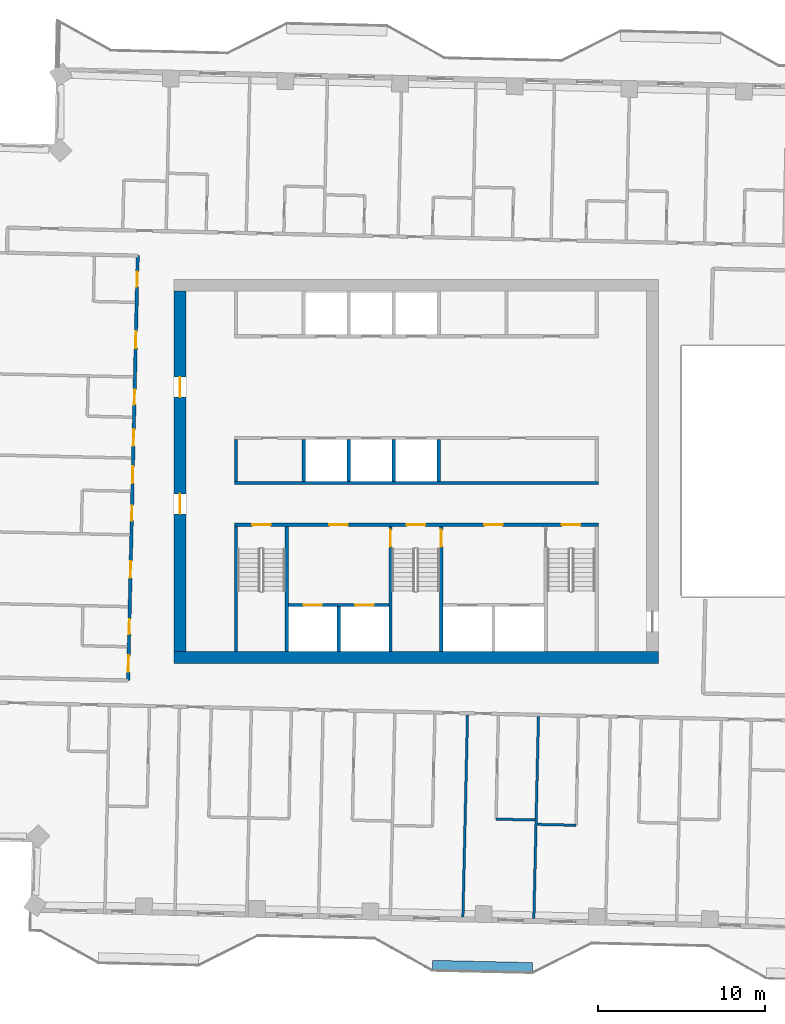
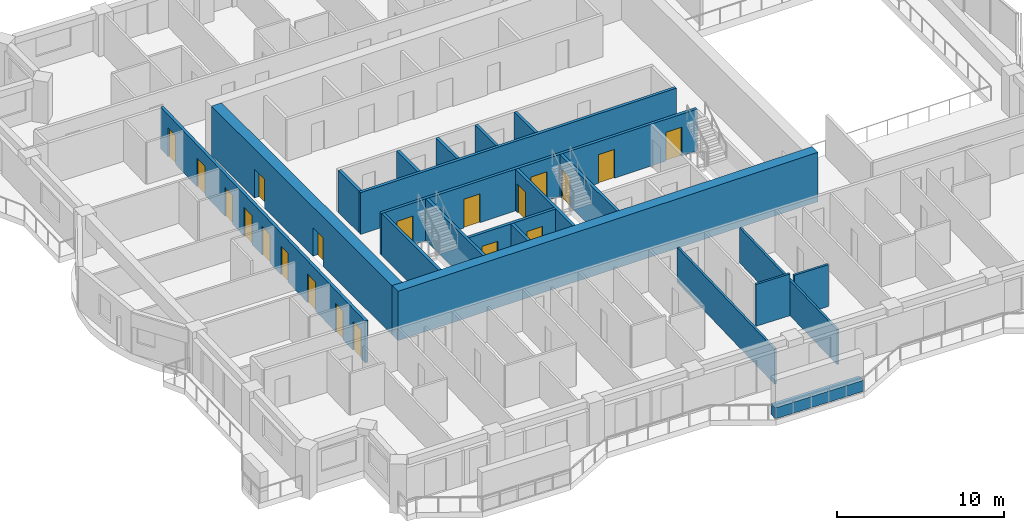
# One storey, part 8 of 17: 21 walls, 20 doors, 20 openings.
"""IFC4 building model written with IfcOpenShell, lengths in metres."""

from ifc_helpers import new_model, si_unit, direction, frame, frame_2d, origin, place, context, subcontext, project, spatial, rectangle, extrude, material, layer, layer_set, type_object, element, fill, save


model = new_model("IFC4")

# Units and contexts
model_context = context("Model", 3, precision=1e-05, world=origin(), true_north=direction((0.0, 1.0)))
body_context = subcontext(model_context, "Body", "Model", "MODEL_VIEW")
ifc_project = project(units=[si_unit("LENGTHUNIT", "METRE"), si_unit("AREAUNIT", "SQUARE_METRE"), si_unit("VOLUMEUNIT", "CUBIC_METRE"), si_unit("PLANEANGLEUNIT", "RADIAN"), si_unit("MASSUNIT", "GRAM", prefix="KILO")], contexts=[model_context])

# Site, building, storey
site_placement = place(None, origin())
site = spatial("IfcSite", under=ifc_project, at=site_placement, CompositionType="ELEMENT")
building_placement = place(site_placement, origin())
building = spatial("IfcBuilding", under=site, at=building_placement, Name="Mangrove Gate Tower", CompositionType="ELEMENT")
storey_placement = place(building_placement, frame((0.0, 0.0, 257.300048828125)))
storey = spatial("IfcBuildingStorey", under=building, at=storey_placement, Name="L65", CompositionType="ELEMENT", Elevation=257.300048828125)

# Walls
ifc_material_1 = material(Name="Concrete C32/40", Category="concrete")
ifc_layer_1 = layer(ifc_material_1, 0.199951171875)
ifc_layer_set_1 = layer_set([ifc_layer_1], Name="Core room wall 200 C32/40")
wall_type_1 = type_object("IfcWallType", Name="Core room wall 200 C32/40", PredefinedType="STANDARD", material=ifc_layer_set_1)
wall_1_placement = place(storey_placement, frame((-10.800048828125, -0.60009765625, 0.0), z_axis=(0.0, 0.0, 1.0), x_axis=(0.0, 1.0, 0.0)))
element("IfcWall", 1, at=wall_1_placement, inside=storey, type_object=wall_type_1, Name="WALL-L65-CORE-19", PredefinedType="STANDARD", context=body_context, shape_type="SweptSolid", body=[
    extrude(rectangle(XDim=2.5, YDim=0.199951171875, at=frame_2d((1.25, 0.0))), origin(), (0.0, 0.0, 1.0), 3.050048828125),
])
ifc_material_2 = material(Name="Concrete C60/75", Category="concrete")
ifc_layer_2 = layer(ifc_material_2, 0.199951171875)
ifc_layer_set_2 = layer_set([ifc_layer_2], Name="Core shaft wall 200 C60/75")
wall_type_2 = type_object("IfcWallType", Name="Core shaft wall 200 C60/75", PredefinedType="SHEAR", material=ifc_layer_set_2)
wall_2_placement = place(storey_placement, frame((-10.89990234375, -0.699951171875, 0.0), z_axis=(0.0, 0.0, 1.0), x_axis=(1.0, 0.0, 0.0)))
element("IfcWall", 2, at=wall_2_placement, inside=storey, type_object=wall_type_2, Name="WALL-L65-CORE-6", PredefinedType="SHEAR", context=body_context, shape_type="SweptSolid", body=[
    extrude(rectangle(XDim=21.7998046875, YDim=0.199951171875, at=frame_2d((10.89990234375, 0.0))), origin(), (0.0, 0.0, 1.0), 3.050048828125),
])

# Wall, openings, doors
wall_3_placement = place(storey_placement, frame((-7.64990234375, -8.0, 0.0), z_axis=(0.0, 0.0, 1.0), x_axis=(1.0, 0.0, 0.0)))
wall_3 = element("IfcWall", 3, at=wall_3_placement, inside=storey, type_object=wall_type_2, Name="WALL-L65-CORE-15", PredefinedType="SHEAR", context=body_context, shape_type="SweptSolid", body=[
    extrude(rectangle(XDim=6.0, YDim=0.199951171875, at=frame_2d((3.0, 0.0))), origin(), (0.0, 0.0, 1.0), 3.050048828125),
])
opening_1_placement = place(wall_3_placement, frame((0.89990234375, 0.0, 0.0)))
opening_1 = element("IfcOpeningElement", 4, at=opening_1_placement, cuts=wall_3, Name="Opening LD", PredefinedType="OPENING", context=body_context, shape_type="SweptSolid", body=[
    extrude(rectangle(XDim=1.10009765625, YDim=2.10009765625, at=frame_2d((0.550048828125, 1.050048828125))), frame((0.0, 0.10986328125, 0.0), z_axis=(0.0, -1.0, 0.0), x_axis=(1.0, 0.0, 0.0)), (0.0, 0.0, 1.0), 0.219970703125),
])
opening_2_placement = place(wall_3_placement, frame((4.0, 0.0, 0.0)))
opening_2 = element("IfcOpeningElement", 5, at=opening_2_placement, cuts=wall_3, Name="Opening LD", PredefinedType="OPENING", context=body_context, shape_type="SweptSolid", body=[
    extrude(rectangle(XDim=1.10009765625, YDim=2.10009765625, at=frame_2d((0.550048828125, 1.050048828125))), frame((0.0, 0.10986328125, 0.0), z_axis=(0.0, -1.0, 0.0), x_axis=(1.0, 0.0, 0.0)), (0.0, 0.0, 1.0), 0.219970703125),
])
ifc_material_3 = material(Name="Stainless steel 316", Category="steel")
door_type_1 = type_object("IfcDoorType", Name="Lift landing door 1100x2100", OperationType="SLIDING_TO_LEFT", PredefinedType="DOOR", material=ifc_material_3)
door_1_placement = place(opening_1_placement, origin())
door_1 = element("IfcDoor", 6, at=door_1_placement, inside=storey, type_object=door_type_1, Name="Landing door LD SVL1", OperationType="SLIDING_TO_LEFT", OverallHeight=2.10009765625, OverallWidth=1.10009765625, PredefinedType="DOOR", context=body_context, shape_type="SweptSolid", body=[
    extrude(rectangle(XDim=1.10009765625, YDim=2.10009765625, at=frame_2d((0.550048828125, 1.050048828125))), frame((0.0, 0.02490234375, 0.0), z_axis=(0.0, -1.0, 0.0), x_axis=(1.0, 0.0, 0.0)), (0.0, 0.0, 1.0), 0.050048828125),
])
fill(opening_1, door_1)
door_2_placement = place(opening_2_placement, origin())
door_2 = element("IfcDoor", 7, at=door_2_placement, inside=storey, type_object=door_type_1, Name="Landing door LD SVL2", OperationType="SLIDING_TO_LEFT", OverallHeight=2.10009765625, OverallWidth=1.10009765625, PredefinedType="DOOR", context=body_context, shape_type="SweptSolid", body=[
    extrude(rectangle(XDim=1.10009765625, YDim=2.10009765625, at=frame_2d((0.550048828125, 1.050048828125))), frame((0.0, 0.02490234375, 0.0), z_axis=(0.0, -1.0, 0.0), x_axis=(1.0, 0.0, 0.0)), (0.0, 0.0, 1.0), 0.050048828125),
])
fill(opening_2, door_2)

# Walls
wall_4_placement = place(storey_placement, frame((-4.64990234375, -10.800048828125, 0.0), z_axis=(0.0, 0.0, 1.0), x_axis=(0.0, 1.0, 0.0)))
element("IfcWall", 8, at=wall_4_placement, inside=storey, type_object=wall_type_2, Name="WALL-L65-CORE-16", PredefinedType="SHEAR", context=body_context, shape_type="SweptSolid", body=[
    extrude(rectangle(XDim=2.699951171875, YDim=0.199951171875, at=frame_2d((1.35009765625, 0.0))), origin(), (0.0, 0.0, 1.0), 3.050048828125),
])
for number, where, z_axis, x_axis, name in (
    (9, (-6.75, -0.60009765625, 0.0), (0.0, 0.0, 1.0), (0.0, 1.0, 0.0), "WALL-L65-CORE-20"),
    (10, (-4.050048828125, -0.60009765625, 0.0), (0.0, 0.0, 1.0), (0.0, 1.0, 0.0), "WALL-L65-CORE-21"),
    (11, (-1.35009765625, -0.60009765625, 0.0), (0.0, 0.0, 1.0), (0.0, 1.0, 0.0), "WALL-L65-CORE-22"),
    (12, (1.35009765625, -0.60009765625, 0.0), (0.0, 0.0, 1.0), (0.0, 1.0, 0.0), "WALL-L65-CORE-23"),
):
    element("IfcWall", number, at=place(storey_placement, frame(where, z_axis=z_axis, x_axis=x_axis)), inside=storey, type_object=wall_type_2, Name=name, PredefinedType="SHEAR", context=body_context, shape_type="SweptSolid", body=[
        extrude(rectangle(XDim=2.5, YDim=0.199951171875, at=frame_2d((1.25, 0.0))), origin(), (0.0, 0.0, 1.0), 3.050048828125),
    ])

# Wall, openings, doors
ifc_material_4 = material(Name="Concrete C60/75", Category="concrete")
ifc_layer_3 = layer(ifc_material_4, 0.199951171875)
ifc_layer_set_3 = layer_set([ifc_layer_3], Name="Core stair wall 200 C60/75")
wall_type_3 = type_object("IfcWallType", Name="Core stair wall 200 C60/75", PredefinedType="SHEAR", material=ifc_layer_set_3)
wall_5_placement = place(storey_placement, frame((-10.89990234375, -3.199951171875, 0.0), z_axis=(0.0, 0.0, 1.0), x_axis=(1.0, 0.0, 0.0)))
wall_5 = element("IfcWall", 13, at=wall_5_placement, inside=storey, type_object=wall_type_3, Name="WALL-L65-CORE-5", PredefinedType="SHEAR", context=body_context, shape_type="SweptSolid", body=[
    extrude(rectangle(XDim=21.7998046875, YDim=0.199951171875, at=frame_2d((10.89990234375, 0.0))), origin(), (0.0, 0.0, 1.0), 3.050048828125),
])
opening_3_placement = place(wall_5_placement, frame((1.074951171875, 0.0, 0.0)))
opening_3 = element("IfcOpeningElement", 14, at=opening_3_placement, cuts=wall_5, Name="Opening STD11", PredefinedType="OPENING", context=body_context, shape_type="SweptSolid", body=[
    extrude(rectangle(XDim=1.10009765625, YDim=2.10009765625, at=frame_2d((0.550048828125, 1.050048828125))), frame((0.0, 0.10986328125, 0.0), z_axis=(0.0, -1.0, 0.0), x_axis=(1.0, 0.0, 0.0)), (0.0, 0.0, 1.0), 0.219970703125),
])
opening_4_placement = place(wall_5_placement, frame((10.324951171875, 0.0, 0.0)))
opening_4 = element("IfcOpeningElement", 15, at=opening_4_placement, cuts=wall_5, Name="Opening STD11", PredefinedType="OPENING", context=body_context, shape_type="SweptSolid", body=[
    extrude(rectangle(XDim=1.10009765625, YDim=2.10009765625, at=frame_2d((0.550048828125, 1.050048828125))), frame((0.0, 0.10986328125, 0.0), z_axis=(0.0, -1.0, 0.0), x_axis=(1.0, 0.0, 0.0)), (0.0, 0.0, 1.0), 0.219970703125),
])
opening_5_placement = place(wall_5_placement, frame((19.625, 0.0, 0.0)))
opening_5 = element("IfcOpeningElement", 16, at=opening_5_placement, cuts=wall_5, Name="Opening STD11", PredefinedType="OPENING", context=body_context, shape_type="SweptSolid", body=[
    extrude(rectangle(XDim=1.10009765625, YDim=2.10009765625, at=frame_2d((0.550048828125, 1.050048828125))), frame((0.0, 0.10986328125, 0.0), z_axis=(0.0, -1.0, 0.0), x_axis=(1.0, 0.0, 0.0)), (0.0, 0.0, 1.0), 0.219970703125),
])
opening_6_placement = place(wall_5_placement, frame((5.699951171875, 0.0, 0.0)))
opening_6 = element("IfcOpeningElement", 17, at=opening_6_placement, cuts=wall_5, Name="Opening FL", PredefinedType="OPENING", context=body_context, shape_type="SweptSolid", body=[
    extrude(rectangle(XDim=1.10009765625, YDim=2.10009765625, at=frame_2d((0.550048828125, 1.050048828125))), frame((0.0, 0.10986328125, 0.0), z_axis=(0.0, -1.0, 0.0), x_axis=(1.0, 0.0, 0.0)), (0.0, 0.0, 1.0), 0.219970703125),
])
opening_7_placement = place(wall_5_placement, frame((14.97509765625, 0.0, 0.0)))
opening_7 = element("IfcOpeningElement", 18, at=opening_7_placement, cuts=wall_5, Name="Opening FL", PredefinedType="OPENING", context=body_context, shape_type="SweptSolid", body=[
    extrude(rectangle(XDim=1.10009765625, YDim=2.10009765625, at=frame_2d((0.550048828125, 1.050048828125))), frame((0.0, 0.10986328125, 0.0), z_axis=(0.0, -1.0, 0.0), x_axis=(1.0, 0.0, 0.0)), (0.0, 0.0, 1.0), 0.219970703125),
])
ifc_material_5 = material(Name="Fire-rated steel door set", Category="steel")
door_type_2 = type_object("IfcDoorType", Name="Lobby door FD60 1100x2100", OperationType="SINGLE_SWING_LEFT", PredefinedType="DOOR", material=ifc_material_5)
door_3_placement = place(opening_6_placement, origin())
door_3 = element("IfcDoor", 19, at=door_3_placement, inside=storey, type_object=door_type_2, Name="Lobby door service lobby", OperationType="SINGLE_SWING_LEFT", OverallHeight=2.10009765625, OverallWidth=1.10009765625, PredefinedType="DOOR", context=body_context, shape_type="SweptSolid", body=[
    extrude(rectangle(XDim=1.10009765625, YDim=2.10009765625, at=frame_2d((0.550048828125, 1.050048828125))), frame((0.0, 0.02490234375, 0.0), z_axis=(0.0, -1.0, 0.0), x_axis=(1.0, 0.0, 0.0)), (0.0, 0.0, 1.0), 0.050048828125),
])
fill(opening_6, door_3)
door_4_placement = place(opening_7_placement, origin())
door_4 = element("IfcDoor", 20, at=door_4_placement, inside=storey, type_object=door_type_2, Name="Lobby door fire-fighting lobby", OperationType="SINGLE_SWING_LEFT", OverallHeight=2.10009765625, OverallWidth=1.10009765625, PredefinedType="DOOR", context=body_context, shape_type="SweptSolid", body=[
    extrude(rectangle(XDim=1.10009765625, YDim=2.10009765625, at=frame_2d((0.550048828125, 1.050048828125))), frame((0.0, 0.02490234375, 0.0), z_axis=(0.0, -1.0, 0.0), x_axis=(1.0, 0.0, 0.0)), (0.0, 0.0, 1.0), 0.050048828125),
])
fill(opening_7, door_4)
ifc_material_6 = material(Name="Fire-rated steel door set", Category="steel")
door_type_3 = type_object("IfcDoorType", Name="Stair door FD60 1100x2100", OperationType="SINGLE_SWING_RIGHT", PredefinedType="DOOR", material=ifc_material_6)
door_5_placement = place(opening_3_placement, origin())
door_5 = element("IfcDoor", 21, at=door_5_placement, inside=storey, type_object=door_type_3, Name="Stair door Stair 1", OperationType="SINGLE_SWING_RIGHT", OverallHeight=2.10009765625, OverallWidth=1.10009765625, PredefinedType="DOOR", context=body_context, shape_type="SweptSolid", body=[
    extrude(rectangle(XDim=1.10009765625, YDim=2.10009765625, at=frame_2d((0.550048828125, 1.050048828125))), frame((0.0, 0.02490234375, 0.0), z_axis=(0.0, -1.0, 0.0), x_axis=(1.0, 0.0, 0.0)), (0.0, 0.0, 1.0), 0.050048828125),
])
fill(opening_3, door_5)
door_6_placement = place(opening_4_placement, origin())
door_6 = element("IfcDoor", 22, at=door_6_placement, inside=storey, type_object=door_type_3, Name="Stair door Stair 2", OperationType="SINGLE_SWING_RIGHT", OverallHeight=2.10009765625, OverallWidth=1.10009765625, PredefinedType="DOOR", context=body_context, shape_type="SweptSolid", body=[
    extrude(rectangle(XDim=1.10009765625, YDim=2.10009765625, at=frame_2d((0.550048828125, 1.050048828125))), frame((0.0, 0.02490234375, 0.0), z_axis=(0.0, -1.0, 0.0), x_axis=(1.0, 0.0, 0.0)), (0.0, 0.0, 1.0), 0.050048828125),
])
fill(opening_4, door_6)
door_7_placement = place(opening_5_placement, origin())
door_7 = element("IfcDoor", 23, at=door_7_placement, inside=storey, type_object=door_type_3, Name="Stair door Stair 3", OperationType="SINGLE_SWING_RIGHT", OverallHeight=2.10009765625, OverallWidth=1.10009765625, PredefinedType="DOOR", context=body_context, shape_type="SweptSolid", body=[
    extrude(rectangle(XDim=1.10009765625, YDim=2.10009765625, at=frame_2d((0.550048828125, 1.050048828125))), frame((0.0, 0.02490234375, 0.0), z_axis=(0.0, -1.0, 0.0), x_axis=(1.0, 0.0, 0.0)), (0.0, 0.0, 1.0), 0.050048828125),
])
fill(opening_5, door_7)

# Walls
for number, where, z_axis, x_axis, name in (
    (24, (-10.800048828125, -10.800048828125, 0.0), (0.0, 0.0, 1.0), (0.0, 1.0, 0.0), "WALL-L65-CORE-9"),
    (25, (-7.75, -10.800048828125, 0.0), (0.0, 0.0, 1.0), (0.0, 1.0, 0.0), "WALL-L65-CORE-10"),
):
    element("IfcWall", number, at=place(storey_placement, frame(where, z_axis=z_axis, x_axis=x_axis)), inside=storey, type_object=wall_type_3, Name=name, PredefinedType="SHEAR", context=body_context, shape_type="SweptSolid", body=[
        extrude(rectangle(XDim=7.5, YDim=0.199951171875, at=frame_2d((3.75, 0.0))), origin(), (0.0, 0.0, 1.0), 3.050048828125),
    ])

# Wall, opening, door
wall_6_placement = place(storey_placement, frame((-1.550048828125, -10.800048828125, 0.0), z_axis=(0.0, 0.0, 1.0), x_axis=(0.0, 1.0, 0.0)))
wall_6 = element("IfcWall", 26, at=wall_6_placement, inside=storey, type_object=wall_type_3, Name="WALL-L65-CORE-11", PredefinedType="SHEAR", context=body_context, shape_type="SweptSolid", body=[
    extrude(rectangle(XDim=7.5, YDim=0.199951171875, at=frame_2d((3.75, 0.0))), origin(), (0.0, 0.0, 1.0), 3.050048828125),
])
opening_8_placement = place(wall_6_placement, frame((6.300048828125, 0.0, 0.0)))
opening_8 = element("IfcOpeningElement", 27, at=opening_8_placement, cuts=wall_6, Name="Opening STD10", PredefinedType="OPENING", context=body_context, shape_type="SweptSolid", body=[
    extrude(rectangle(XDim=1.0, YDim=2.10009765625, at=frame_2d((0.5, 1.050048828125))), frame((0.0, 0.10986328125, 0.0), z_axis=(0.0, -1.0, 0.0), x_axis=(1.0, 0.0, 0.0)), (0.0, 0.0, 1.0), 0.219970703125),
])
ifc_material_7 = material(Name="Fire-rated steel door set", Category="steel")
door_type_4 = type_object("IfcDoorType", Name="Stair door FD60 1000x2100", OperationType="SINGLE_SWING_RIGHT", PredefinedType="DOOR", material=ifc_material_7)
door_8_placement = place(opening_8_placement, origin())
door_8 = element("IfcDoor", 28, at=door_8_placement, inside=storey, type_object=door_type_4, Name="Stair door Stair 2 from service lobby", OperationType="SINGLE_SWING_RIGHT", OverallHeight=2.10009765625, OverallWidth=1.0, PredefinedType="DOOR", context=body_context, shape_type="SweptSolid", body=[
    extrude(rectangle(XDim=1.0, YDim=2.10009765625, at=frame_2d((0.5, 1.050048828125))), frame((0.0, 0.02490234375, 0.0), z_axis=(0.0, -1.0, 0.0), x_axis=(1.0, 0.0, 0.0)), (0.0, 0.0, 1.0), 0.050048828125),
])
fill(opening_8, door_8)

wall_7_placement = place(storey_placement, frame((1.5, -10.800048828125, 0.0), z_axis=(0.0, 0.0, 1.0), x_axis=(0.0, 1.0, 0.0)))
wall_7 = element("IfcWall", 29, at=wall_7_placement, inside=storey, type_object=wall_type_3, Name="WALL-L65-CORE-12", PredefinedType="SHEAR", context=body_context, shape_type="SweptSolid", body=[
    extrude(rectangle(XDim=7.5, YDim=0.199951171875, at=frame_2d((3.75, 0.0))), origin(), (0.0, 0.0, 1.0), 3.050048828125),
])
opening_9_placement = place(wall_7_placement, frame((6.300048828125, 0.0, 0.0)))
opening_9 = element("IfcOpeningElement", 30, at=opening_9_placement, cuts=wall_7, Name="Opening STD10", PredefinedType="OPENING", context=body_context, shape_type="SweptSolid", body=[
    extrude(rectangle(XDim=1.0, YDim=2.10009765625, at=frame_2d((0.5, 1.050048828125))), frame((0.0, 0.10986328125, 0.0), z_axis=(0.0, -1.0, 0.0), x_axis=(1.0, 0.0, 0.0)), (0.0, 0.0, 1.0), 0.219970703125),
])
door_9_placement = place(opening_9_placement, origin())
door_9 = element("IfcDoor", 31, at=door_9_placement, inside=storey, type_object=door_type_4, Name="Stair door Stair 2 from fire-fighting lobby", OperationType="SINGLE_SWING_RIGHT", OverallHeight=2.10009765625, OverallWidth=1.0, PredefinedType="DOOR", context=body_context, shape_type="SweptSolid", body=[
    extrude(rectangle(XDim=1.0, YDim=2.10009765625, at=frame_2d((0.5, 1.050048828125))), frame((0.0, 0.02490234375, 0.0), z_axis=(0.0, -1.0, 0.0), x_axis=(1.0, 0.0, 0.0)), (0.0, 0.0, 1.0), 0.050048828125),
])
fill(opening_9, door_9)

# Wall
ifc_material_8 = material(Name="Concrete C60/75", Category="concrete")
ifc_layer_4 = layer(ifc_material_8, 0.699951171875)
ifc_layer_set_4 = layer_set([ifc_layer_4], Name="Core wall 700 C60/75")
wall_type_4 = type_object("IfcWallType", Name="Core wall 700 C60/75", PredefinedType="SHEAR", material=ifc_layer_set_4)
wall_8_placement = place(storey_placement, frame((-14.5, -11.14990234375, 0.0), z_axis=(0.0, 0.0, 1.0), x_axis=(1.0, 0.0, 0.0)))
element("IfcWall", 32, at=wall_8_placement, inside=storey, type_object=wall_type_4, Name="WALL-L65-CORE-1", PredefinedType="SHEAR", context=body_context, shape_type="SweptSolid", body=[
    extrude(rectangle(XDim=29.0, YDim=0.699951171875, at=frame_2d((14.5, 0.0))), origin(), (0.0, 0.0, 1.0), 3.599853515625),
])

# Wall, openings, doors
wall_9_placement = place(storey_placement, frame((-14.14990234375, -10.800048828125, 0.0), z_axis=(0.0, 0.0, 1.0), x_axis=(0.0, 1.0, 0.0)))
wall_9 = element("IfcWall", 33, at=wall_9_placement, inside=storey, type_object=wall_type_4, Name="WALL-L65-CORE-3", PredefinedType="SHEAR", context=body_context, shape_type="SweptSolid", body=[
    extrude(rectangle(XDim=21.60009765625, YDim=0.699951171875, at=frame_2d((10.800048828125, 0.0))), origin(), (0.0, 0.0, 1.0), 3.599853515625),
])
opening_10_placement = place(wall_9_placement, frame((8.25, 0.0, 0.0)))
opening_10 = element("IfcOpeningElement", 34, at=opening_10_placement, cuts=wall_9, Name="Opening CD", PredefinedType="OPENING", context=body_context, shape_type="SweptSolid", body=[
    extrude(rectangle(XDim=1.199951171875, YDim=2.10009765625, at=frame_2d((0.60009765625, 1.050048828125))), frame((0.0, 0.35986328125, 0.0), z_axis=(0.0, -1.0, 0.0), x_axis=(1.0, 0.0, 0.0)), (0.0, 0.0, 1.0), 0.719970703125),
])
opening_11_placement = place(wall_9_placement, frame((15.25, 0.0, 0.0)))
opening_11 = element("IfcOpeningElement", 35, at=opening_11_placement, cuts=wall_9, Name="Opening CD", PredefinedType="OPENING", context=body_context, shape_type="SweptSolid", body=[
    extrude(rectangle(XDim=1.199951171875, YDim=2.10009765625, at=frame_2d((0.60009765625, 1.050048828125))), frame((0.0, 0.35986328125, 0.0), z_axis=(0.0, -1.0, 0.0), x_axis=(1.0, 0.0, 0.0)), (0.0, 0.0, 1.0), 0.719970703125),
])
ifc_material_9 = material(Name="Fire-rated steel door set", Category="steel")
door_type_5 = type_object("IfcDoorType", Name="Core ring door FD60 1200x2100", OperationType="DOUBLE_DOOR_SINGLE_SWING", PredefinedType="DOOR", material=ifc_material_9)
door_10_placement = place(opening_10_placement, origin())
door_10 = element("IfcDoor", 36, at=door_10_placement, inside=storey, type_object=door_type_5, Name="Core ring door W1", OperationType="DOUBLE_DOOR_SINGLE_SWING", OverallHeight=2.10009765625, OverallWidth=1.199951171875, PredefinedType="DOOR", context=body_context, shape_type="SweptSolid", body=[
    extrude(rectangle(XDim=1.199951171875, YDim=2.10009765625, at=frame_2d((0.60009765625, 1.050048828125))), frame((0.0, 0.02490234375, 0.0), z_axis=(0.0, -1.0, 0.0), x_axis=(1.0, 0.0, 0.0)), (0.0, 0.0, 1.0), 0.050048828125),
])
fill(opening_10, door_10)
door_11_placement = place(opening_11_placement, origin())
door_11 = element("IfcDoor", 37, at=door_11_placement, inside=storey, type_object=door_type_5, Name="Core ring door W2", OperationType="DOUBLE_DOOR_SINGLE_SWING", OverallHeight=2.10009765625, OverallWidth=1.199951171875, PredefinedType="DOOR", context=body_context, shape_type="SweptSolid", body=[
    extrude(rectangle(XDim=1.199951171875, YDim=2.10009765625, at=frame_2d((0.60009765625, 1.050048828125))), frame((0.0, 0.02490234375, 0.0), z_axis=(0.0, -1.0, 0.0), x_axis=(1.0, 0.0, 0.0)), (0.0, 0.0, 1.0), 0.050048828125),
])
fill(opening_11, door_11)

ifc_material_10 = material(Name="Gypsum board on steel stud, EI 60", Category="steel")
ifc_layer_5 = layer(ifc_material_10, 0.199951171875)
ifc_layer_set_5 = layer_set([ifc_layer_5], Name="Corridor wall EI 60")
wall_type_5 = type_object("IfcWallType", Name="Corridor wall EI 60", PredefinedType="PARTITIONING", material=ifc_layer_set_5)
wall_10_placement = place(storey_placement, frame((-17.261962890625, -12.52490234375, 0.0), z_axis=(0.0, 0.0, 1.0), x_axis=(0.022706151961, 0.999742182097, 0.0)))
wall_10 = element("IfcWall", 38, at=wall_10_placement, inside=storey, type_object=wall_type_5, Name="WALL-L65-037", PredefinedType="PARTITIONING", context=body_context, shape_type="SweptSolid", body=[
    extrude(rectangle(XDim=25.450439453125, YDim=0.199951171875, at=frame_2d((12.72509765625, 0.0))), origin(), (0.0, 0.0, 1.0), 3.050048828125),
])
opening_12_placement = place(wall_10_placement, frame((19.9130859375, 0.0, 0.0)))
opening_12 = element("IfcOpeningElement", 39, at=opening_12_placement, cuts=wall_10, Name="Opening AD", PredefinedType="OPENING", context=body_context, shape_type="SweptSolid", body=[
    extrude(rectangle(XDim=1.0, YDim=2.10009765625, at=frame_2d((0.5, 1.050048828125))), frame((0.0, 0.10986328125, 0.0), z_axis=(0.0, -1.0, 0.0), x_axis=(1.0, 0.0, 0.0)), (0.0, 0.0, 1.0), 0.219970703125),
])
opening_13_placement = place(wall_10_placement, frame((23.60009765625, 0.0, 0.0)))
opening_13 = element("IfcOpeningElement", 40, at=opening_13_placement, cuts=wall_10, Name="Opening SD", PredefinedType="OPENING", context=body_context, shape_type="SweptSolid", body=[
    extrude(rectangle(XDim=0.89990234375, YDim=2.10009765625, at=frame_2d((0.449951171875, 1.050048828125))), frame((0.0, 0.10986328125, 0.0), z_axis=(0.0, -1.0, 0.0), x_axis=(1.0, 0.0, 0.0)), (0.0, 0.0, 1.0), 0.219970703125),
])
opening_14_placement = place(wall_10_placement, frame((14.050048828125, 0.0, 0.0)))
opening_14 = element("IfcOpeningElement", 41, at=opening_14_placement, cuts=wall_10, Name="Opening AD", PredefinedType="OPENING", context=body_context, shape_type="SweptSolid", body=[
    extrude(rectangle(XDim=1.0, YDim=2.10009765625, at=frame_2d((0.5, 1.050048828125))), frame((0.0, 0.10986328125, 0.0), z_axis=(0.0, -1.0, 0.0), x_axis=(1.0, 0.0, 0.0)), (0.0, 0.0, 1.0), 0.219970703125),
])
opening_15_placement = place(wall_10_placement, frame((16.52490234375, 0.0, 0.0)))
opening_15 = element("IfcOpeningElement", 42, at=opening_15_placement, cuts=wall_10, Name="Opening SD", PredefinedType="OPENING", context=body_context, shape_type="SweptSolid", body=[
    extrude(rectangle(XDim=0.89990234375, YDim=2.10009765625, at=frame_2d((0.449951171875, 1.050048828125))), frame((0.0, 0.10986328125, 0.0), z_axis=(0.0, -1.0, 0.0), x_axis=(1.0, 0.0, 0.0)), (0.0, 0.0, 1.0), 0.219970703125),
])
opening_16_placement = place(wall_10_placement, frame((11.824951171875, 0.0, 0.0)))
opening_16 = element("IfcOpeningElement", 43, at=opening_16_placement, cuts=wall_10, Name="Opening AD", PredefinedType="OPENING", context=body_context, shape_type="SweptSolid", body=[
    extrude(rectangle(XDim=1.0, YDim=2.10009765625, at=frame_2d((0.5, 1.050048828125))), frame((0.0, 0.10986328125, 0.0), z_axis=(0.0, -1.0, 0.0), x_axis=(1.0, 0.0, 0.0)), (0.0, 0.0, 1.0), 0.219970703125),
])
opening_17_placement = place(wall_10_placement, frame((9.574951171875, 0.0, 0.0)))
opening_17 = element("IfcOpeningElement", 44, at=opening_17_placement, cuts=wall_10, Name="Opening SD", PredefinedType="OPENING", context=body_context, shape_type="SweptSolid", body=[
    extrude(rectangle(XDim=0.89990234375, YDim=2.10009765625, at=frame_2d((0.449951171875, 1.050048828125))), frame((0.0, 0.10986328125, 0.0), z_axis=(0.0, -1.0, 0.0), x_axis=(1.0, 0.0, 0.0)), (0.0, 0.0, 1.0), 0.219970703125),
])
opening_18_placement = place(wall_10_placement, frame((6.155029296875, 0.0, 0.0)))
opening_18 = element("IfcOpeningElement", 45, at=opening_18_placement, cuts=wall_10, Name="Opening AD", PredefinedType="OPENING", context=body_context, shape_type="SweptSolid", body=[
    extrude(rectangle(XDim=1.0, YDim=2.10009765625, at=frame_2d((0.5, 1.050048828125))), frame((0.0, 0.10986328125, 0.0), z_axis=(0.0, -1.0, 0.0), x_axis=(1.0, 0.0, 0.0)), (0.0, 0.0, 1.0), 0.219970703125),
])
opening_19_placement = place(wall_10_placement, frame((0.511962890625, 0.0, 0.0)))
opening_19 = element("IfcOpeningElement", 46, at=opening_19_placement, cuts=wall_10, Name="Opening AD", PredefinedType="OPENING", context=body_context, shape_type="SweptSolid", body=[
    extrude(rectangle(XDim=1.0, YDim=2.10009765625, at=frame_2d((0.5, 1.050048828125))), frame((0.0, 0.10986328125, 0.0), z_axis=(0.0, -1.0, 0.0), x_axis=(1.0, 0.0, 0.0)), (0.0, 0.0, 1.0), 0.219970703125),
])
opening_20_placement = place(wall_10_placement, frame((2.77490234375, 0.0, 0.0)))
opening_20 = element("IfcOpeningElement", 47, at=opening_20_placement, cuts=wall_10, Name="Opening SD", PredefinedType="OPENING", context=body_context, shape_type="SweptSolid", body=[
    extrude(rectangle(XDim=0.89990234375, YDim=2.10009765625, at=frame_2d((0.449951171875, 1.050048828125))), frame((0.0, 0.10986328125, 0.0), z_axis=(0.0, -1.0, 0.0), x_axis=(1.0, 0.0, 0.0)), (0.0, 0.0, 1.0), 0.219970703125),
])
ifc_material_11 = material(Name="Timber door leaf", Category="wood")
door_type_6 = type_object("IfcDoorType", Name="Amenity door 1000", OperationType="SINGLE_SWING_LEFT", PredefinedType="DOOR", material=ifc_material_11)
door_12_placement = place(opening_12_placement, origin())
door_12 = element("IfcDoor", 48, at=door_12_placement, inside=storey, type_object=door_type_6, Name="DOOR-L65-LNG-c5a", OperationType="SINGLE_SWING_LEFT", OverallHeight=2.10009765625, OverallWidth=1.0, PredefinedType="DOOR", context=body_context, shape_type="SweptSolid", body=[
    extrude(rectangle(XDim=1.0, YDim=2.10009765625, at=frame_2d((0.5, 1.050048828125))), frame((0.0, 0.02490234375, 0.0), z_axis=(0.0, -1.0, 0.0), x_axis=(1.0, 0.0, 0.0)), (0.0, 0.0, 1.0), 0.050048828125),
])
fill(opening_12, door_12)
door_13_placement = place(opening_14_placement, origin())
door_13 = element("IfcDoor", 49, at=door_13_placement, inside=storey, type_object=door_type_6, Name="DOOR-L65-GAM-c5b", OperationType="SINGLE_SWING_RIGHT", OverallHeight=2.10009765625, OverallWidth=1.0, PredefinedType="DOOR", context=body_context, shape_type="SweptSolid", body=[
    extrude(rectangle(XDim=1.0, YDim=2.10009765625, at=frame_2d((0.5, 1.050048828125))), frame((0.0, 0.02490234375, 0.0), z_axis=(0.0, -1.0, 0.0), x_axis=(1.0, 0.0, 0.0)), (0.0, 0.0, 1.0), 0.050048828125),
])
fill(opening_14, door_13)
door_14_placement = place(opening_16_placement, origin())
door_14 = element("IfcDoor", 50, at=door_14_placement, inside=storey, type_object=door_type_6, Name="DOOR-L65-GAM-c5c", OperationType="SINGLE_SWING_LEFT", OverallHeight=2.10009765625, OverallWidth=1.0, PredefinedType="DOOR", context=body_context, shape_type="SweptSolid", body=[
    extrude(rectangle(XDim=1.0, YDim=2.10009765625, at=frame_2d((0.5, 1.050048828125))), frame((0.0, 0.02490234375, 0.0), z_axis=(0.0, -1.0, 0.0), x_axis=(1.0, 0.0, 0.0)), (0.0, 0.0, 1.0), 0.050048828125),
])
fill(opening_16, door_14)
door_15_placement = place(opening_18_placement, origin())
door_15 = element("IfcDoor", 51, at=door_15_placement, inside=storey, type_object=door_type_6, Name="DOOR-L65-LNG-c5b", OperationType="SINGLE_SWING_RIGHT", OverallHeight=2.10009765625, OverallWidth=1.0, PredefinedType="DOOR", context=body_context, shape_type="SweptSolid", body=[
    extrude(rectangle(XDim=1.0, YDim=2.10009765625, at=frame_2d((0.5, 1.050048828125))), frame((0.0, 0.02490234375, 0.0), z_axis=(0.0, -1.0, 0.0), x_axis=(1.0, 0.0, 0.0)), (0.0, 0.0, 1.0), 0.050048828125),
])
fill(opening_18, door_15)
door_16_placement = place(opening_19_placement, origin())
door_16 = element("IfcDoor", 52, at=door_16_placement, inside=storey, type_object=door_type_6, Name="DOOR-L65-KIT-c5a", OperationType="SINGLE_SWING_LEFT", OverallHeight=2.10009765625, OverallWidth=1.0, PredefinedType="DOOR", context=body_context, shape_type="SweptSolid", body=[
    extrude(rectangle(XDim=1.0, YDim=2.10009765625, at=frame_2d((0.5, 1.050048828125))), frame((0.0, 0.02490234375, 0.0), z_axis=(0.0, -1.0, 0.0), x_axis=(1.0, 0.0, 0.0)), (0.0, 0.0, 1.0), 0.050048828125),
])
fill(opening_19, door_16)
ifc_material_12 = material(Name="Timber door leaf", Category="wood")
door_type_7 = type_object("IfcDoorType", Name="Service room door 900", OperationType="SINGLE_SWING_LEFT", PredefinedType="DOOR", material=ifc_material_12)
door_17_placement = place(opening_13_placement, origin())
door_17 = element("IfcDoor", 53, at=door_17_placement, inside=storey, type_object=door_type_7, Name="DOOR-L65-LDY-c5a", OperationType="SINGLE_SWING_LEFT", OverallHeight=2.10009765625, OverallWidth=0.89990234375, PredefinedType="DOOR", context=body_context, shape_type="SweptSolid", body=[
    extrude(rectangle(XDim=0.89990234375, YDim=2.10009765625, at=frame_2d((0.449951171875, 1.050048828125))), frame((0.0, 0.02490234375, 0.0), z_axis=(0.0, -1.0, 0.0), x_axis=(1.0, 0.0, 0.0)), (0.0, 0.0, 1.0), 0.050048828125),
])
fill(opening_13, door_17)
door_18_placement = place(opening_15_placement, origin())
door_18 = element("IfcDoor", 54, at=door_18_placement, inside=storey, type_object=door_type_7, Name="DOOR-L65-WC-c5a", OperationType="SINGLE_SWING_RIGHT", OverallHeight=2.10009765625, OverallWidth=0.89990234375, PredefinedType="DOOR", context=body_context, shape_type="SweptSolid", body=[
    extrude(rectangle(XDim=0.89990234375, YDim=2.10009765625, at=frame_2d((0.449951171875, 1.050048828125))), frame((0.0, 0.02490234375, 0.0), z_axis=(0.0, -1.0, 0.0), x_axis=(1.0, 0.0, 0.0)), (0.0, 0.0, 1.0), 0.050048828125),
])
fill(opening_15, door_18)
door_19_placement = place(opening_17_placement, origin())
door_19 = element("IfcDoor", 55, at=door_19_placement, inside=storey, type_object=door_type_7, Name="DOOR-L65-AWC-c5b", OperationType="SINGLE_SWING_LEFT", OverallHeight=2.10009765625, OverallWidth=0.89990234375, PredefinedType="DOOR", context=body_context, shape_type="SweptSolid", body=[
    extrude(rectangle(XDim=0.89990234375, YDim=2.10009765625, at=frame_2d((0.449951171875, 1.050048828125))), frame((0.0, 0.02490234375, 0.0), z_axis=(0.0, -1.0, 0.0), x_axis=(1.0, 0.0, 0.0)), (0.0, 0.0, 1.0), 0.050048828125),
])
fill(opening_17, door_19)
door_20_placement = place(opening_20_placement, origin())
door_20 = element("IfcDoor", 56, at=door_20_placement, inside=storey, type_object=door_type_7, Name="DOOR-L65-WC-c5b", OperationType="SINGLE_SWING_RIGHT", OverallHeight=2.10009765625, OverallWidth=0.89990234375, PredefinedType="DOOR", context=body_context, shape_type="SweptSolid", body=[
    extrude(rectangle(XDim=0.89990234375, YDim=2.10009765625, at=frame_2d((0.449951171875, 1.050048828125))), frame((0.0, 0.02490234375, 0.0), z_axis=(0.0, -1.0, 0.0), x_axis=(1.0, 0.0, 0.0)), (0.0, 0.0, 1.0), 0.050048828125),
])
fill(opening_20, door_20)

# Walls
ifc_material_13 = material(Name="Gypsum board on steel stud, EI 60", Category="steel")
ifc_layer_6 = layer(ifc_material_13, 0.14990234375)
ifc_layer_set_6 = layer_set([ifc_layer_6], Name="Party wall 150 EI 60")
wall_type_6 = type_object("IfcWallType", Name="Party wall 150 EI 60", PredefinedType="PARTITIONING", material=ifc_layer_set_6)
wall_11_placement = place(storey_placement, frame((2.7919921875, -26.68408203125, 0.0), z_axis=(0.0, 0.0, 1.0), x_axis=(0.022718655443, 0.999741898039, 0.0)))
element("IfcWall", 57, at=wall_11_placement, inside=storey, type_object=wall_type_6, Name="WALL-L65-006", PredefinedType="PARTITIONING", context=body_context, shape_type="SweptSolid", body=[
    extrude(rectangle(XDim=12.100341796875, YDim=0.14990234375, at=frame_2d((6.05029296875, 0.0))), origin(), (0.0, 0.0, 1.0), 2.550048828125),
])
wall_12_placement = place(storey_placement, frame((7.041015625, -26.780029296875, 0.0), z_axis=(0.0, 0.0, 1.0), x_axis=(0.022719113715, 0.999741887625, 0.0)))
element("IfcWall", 58, at=wall_12_placement, inside=storey, type_object=wall_type_6, Name="WALL-L65-007", PredefinedType="PARTITIONING", context=body_context, shape_type="SweptSolid", body=[
    extrude(rectangle(XDim=12.10009765625, YDim=0.14990234375, at=frame_2d((6.050048828125, 0.0))), origin(), (0.0, 0.0, 1.0), 2.550048828125),
])
wall_13_placement = place(storey_placement, frame((7.248046875, -21.14306640625, 0.0), z_axis=(0.0, 0.0, 1.0), x_axis=(0.999740478815, -0.022781023197, 0.0)))
element("IfcWall", 59, at=wall_13_placement, inside=storey, type_object=wall_type_6, Name="WALL-L65-018", PredefinedType="PARTITIONING", context=body_context, shape_type="SweptSolid", body=[
    extrude(rectangle(XDim=2.325439453125, YDim=0.14990234375, at=frame_2d((1.16259765625, 0.0))), origin(), (0.0, 0.0, 1.0), 3.050048828125),
])
wall_14_placement = place(storey_placement, frame((4.780029296875, -20.826904296875, 0.0), z_axis=(0.0, 0.0, 1.0), x_axis=(0.999740260747, -0.02279059109, 0.0)))
element("IfcWall", 60, at=wall_14_placement, inside=storey, type_object=wall_type_6, Name="WALL-L65-021", PredefinedType="PARTITIONING", context=body_context, shape_type="SweptSolid", body=[
    extrude(rectangle(XDim=2.324462890625, YDim=0.14990234375, at=frame_2d((1.162109375, 0.0))), origin(), (0.0, 0.0, 1.0), 3.050048828125),
])
ifc_material_14 = material(Name="Concrete C32/40", Category="concrete")
ifc_layer_7 = layer(ifc_material_14, 0.199951171875, Name="Planter trough wall")
ifc_material_15 = material(Name="Bituminous waterproofing membrane")
ifc_layer_8 = layer(ifc_material_15, 0.0048828125, Name="Waterproofing")
ifc_material_16 = material(Name="Drainage board and gravel")
ifc_layer_9 = layer(ifc_material_16, 0.044921875, Name="Drainage layer")
ifc_material_17 = material(Name="Planting soil")
ifc_layer_10 = layer(ifc_material_17, 0.300048828125, Name="Growing medium")
ifc_layer_set_7 = layer_set([ifc_layer_7, ifc_layer_8, ifc_layer_9, ifc_layer_10], Name="Planter wall 550 C32/40")
wall_type_7 = type_object("IfcWallType", Name="Planter wall 550 C32/40", PredefinedType="USERDEFINED", material=ifc_layer_set_7)
wall_15_placement = place(storey_placement, frame((0.966064453125, -29.55810546875, 0.0), z_axis=(0.0, 0.0, 1.0), x_axis=(0.999743178102, -0.022662255828, 0.0)))
element("IfcWall", 61, at=wall_15_placement, inside=storey, type_object=wall_type_7, Name="PLANTER L65 S1.1", ObjectType="PLANTER", PredefinedType="USERDEFINED", context=body_context, shape_type="SweptSolid", body=[
    extrude(rectangle(XDim=6.00048828125, YDim=0.550048828125, at=frame_2d((3.000244140625, 0.0))), origin(), (0.0, 0.0, 1.0), 0.800048828125),
])

save(model, "model.ifc")
